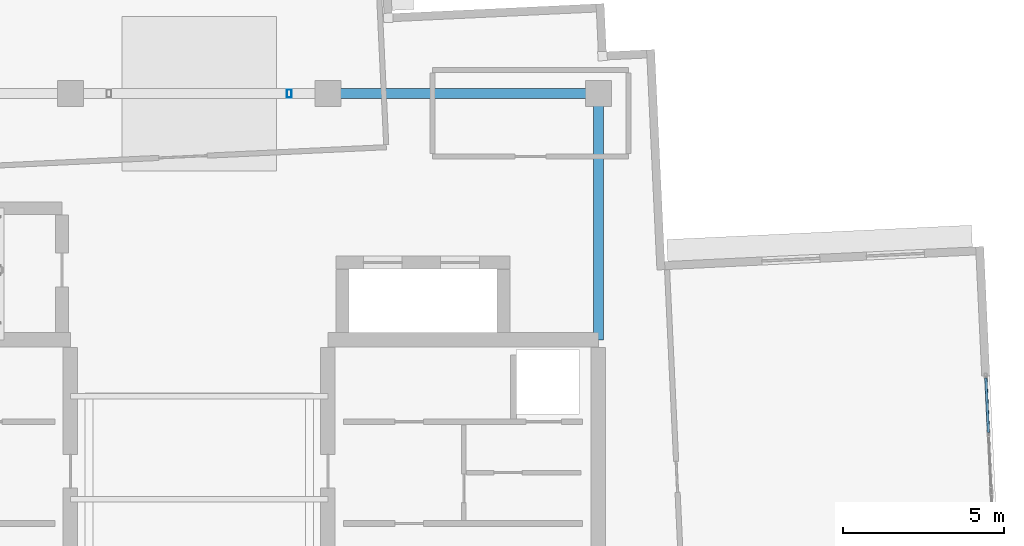
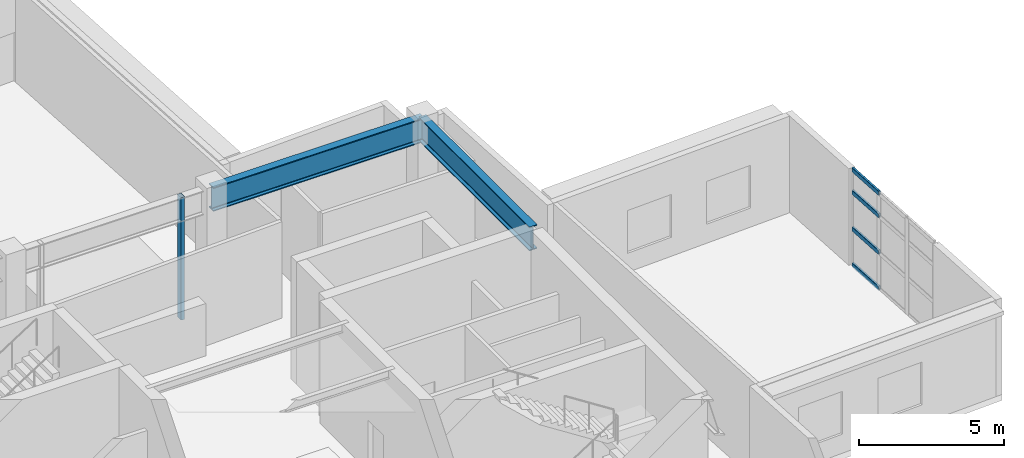
# One storey, part 10 of 22: 5 members, 2 beams, 1 element without a shape of its own.
"""IFC4 building model written with IfcOpenShell, lengths in metres."""

from ifc_helpers import new_model, si_unit, direction, frame, origin, origin_2d, place, context, subcontext, project, spatial, hollow_rectangle, i_section, extrude, material, layer, layer_set, material_profile, profile_set, type_object, element, aggregate, save


model = new_model("IFC4")

# Units and contexts
model_context = context("Model", 3, precision=1e-05, world=origin(), true_north=direction((0.0, 1.0)))
body_context = subcontext(model_context, "Body", "Model", "MODEL_VIEW")
ifc_project = project(units=[si_unit("LENGTHUNIT", "METRE"), si_unit("AREAUNIT", "SQUARE_METRE"), si_unit("VOLUMEUNIT", "CUBIC_METRE"), si_unit("PLANEANGLEUNIT", "RADIAN"), si_unit("MASSUNIT", "GRAM", prefix="KILO")], contexts=[model_context])

# Site, building, storey
site_placement = place(None, origin())
site = spatial("IfcSite", under=ifc_project, at=site_placement, CompositionType="ELEMENT")
building_placement = place(site_placement, origin())
building = spatial("IfcBuilding", under=site, at=building_placement, Name="Qingluan Cross Belvedere", CompositionType="ELEMENT")
storey_placement = place(building_placement, frame((0.0, 0.0, 294.0)))
storey = spatial("IfcBuildingStorey", under=building, at=storey_placement, Name="L73", CompositionType="ELEMENT", Elevation=294.0)

# Curtain wall, members
ifc_material_1 = material(Name="Thermally broken aluminium and Low-E glass", Category="aluminium")
ifc_layer = layer(ifc_material_1, 0.179931640625, Name="ObservationCW_DamperGallery")
ifc_layer_set = layer_set([ifc_layer], Name="Thermally broken aluminium and Low-E glass")
curtain_wall_type = type_object("IfcCurtainWallType", Name="ObservationCW_DamperGallery", PredefinedType="USERDEFINED", material=ifc_layer_set)
curtain_wall_placement = place(storey_placement, origin())
curtain_wall = element("IfcCurtainWall", 1, at=curtain_wall_placement, inside=storey, type_object=curtain_wall_type, Name="ObservationCW_DamperGallery run env:cw:L73:E", ObjectType="OBSERVATION GLAZING WALL", PredefinedType="USERDEFINED")
ifc_material_2 = material(Name="Aluminium alloy 6063-T6", Category="aluminium")
ifc_material_profile_1 = material_profile(ifc_material_2, hollow_rectangle(XDim=0.0849609375, YDim=0.179931640625, WallThickness=0.00390625, InnerFilletRadius=0.00390625, OuterFilletRadius=0.008056640625, at=origin_2d()), Name="CWT180x85x4")
ifc_profile_set_1 = profile_set([ifc_material_profile_1], Name="Aluminium alloy 6063-T6")
member_type_1 = type_object("IfcMemberType", Name="CWTransom_180", PredefinedType="USERDEFINED", material=ifc_profile_set_1)
member_1_placement = place(storey_placement, frame((24.50927734375, 2.07958984375, 0.030029296875), z_axis=(-0.047093021363, 0.998890508183, 0.0), x_axis=(-0.998890508183, -0.047093021363, 0.0)))
member_1 = element("IfcMember", 2, at=member_1_placement, type_object=member_type_1, Name="CW-C1 transom 3.1", ObjectType="TRANSOM", PredefinedType="USERDEFINED", context=body_context, shape_type="SweptSolid", body=[
    extrude(hollow_rectangle(XDim=0.0849609375, YDim=0.179931640625, WallThickness=0.00390625, InnerFilletRadius=0.00390625, OuterFilletRadius=0.008056640625, at=origin_2d()), origin(), (0.0, 0.0, 1.0), 1.6953125),
])
member_2_placement = place(storey_placement, frame((24.50927734375, 2.07958984375, 1.54296875), z_axis=(-0.047093021363, 0.998890508183, 0.0), x_axis=(-0.998890508183, -0.047093021363, 0.0)))
member_2 = element("IfcMember", 3, at=member_2_placement, type_object=member_type_1, Name="CW-C1 transom 3.2", ObjectType="TRANSOM", PredefinedType="USERDEFINED", context=body_context, shape_type="SweptSolid", body=[
    extrude(hollow_rectangle(XDim=0.0849609375, YDim=0.179931640625, WallThickness=0.00390625, InnerFilletRadius=0.00390625, OuterFilletRadius=0.008056640625, at=origin_2d()), origin(), (0.0, 0.0, 1.0), 1.6953125),
])
member_3_placement = place(storey_placement, frame((24.50927734375, 2.07958984375, 3.0859375), z_axis=(-0.047093021363, 0.998890508183, 0.0), x_axis=(-0.998890508183, -0.047093021363, 0.0)))
member_3 = element("IfcMember", 4, at=member_3_placement, type_object=member_type_1, Name="CW-C1 transom 3.3", ObjectType="TRANSOM", PredefinedType="USERDEFINED", context=body_context, shape_type="SweptSolid", body=[
    extrude(hollow_rectangle(XDim=0.0849609375, YDim=0.179931640625, WallThickness=0.00390625, InnerFilletRadius=0.00390625, OuterFilletRadius=0.008056640625, at=origin_2d()), origin(), (0.0, 0.0, 1.0), 1.6953125),
])
member_4_placement = place(storey_placement, frame((24.50927734375, 2.07958984375, 4.030029296875), z_axis=(-0.047093021363, 0.998890508183, 0.0), x_axis=(-0.998890508183, -0.047093021363, 0.0)))
member_4 = element("IfcMember", 5, at=member_4_placement, type_object=member_type_1, Name="CW-C1 transom 3.4", ObjectType="TRANSOM", PredefinedType="USERDEFINED", context=body_context, shape_type="SweptSolid", body=[
    extrude(hollow_rectangle(XDim=0.0849609375, YDim=0.179931640625, WallThickness=0.00390625, InnerFilletRadius=0.00390625, OuterFilletRadius=0.008056640625, at=origin_2d()), origin(), (0.0, 0.0, 1.0), 1.6953125),
])
aggregate(curtain_wall, [member_1, member_2, member_3, member_4])

# Member
ifc_material_3 = material(Name="Steel Q420GJB", Category="steel")
ifc_material_profile_2 = material_profile(ifc_material_3, hollow_rectangle(XDim=0.14990234375, YDim=0.25, WallThickness=0.010009765625, InnerFilletRadius=0.010009765625, OuterFilletRadius=0.02001953125, at=origin_2d()), Name="RHS250x150x10")
ifc_profile_set_2 = profile_set([ifc_material_profile_2], Name="Steel Q420GJB")
member_type_2 = type_object("IfcMemberType", Name="SteelMember_POST_RHS250x150x10", PredefinedType="POST", material=ifc_profile_set_2)
member_5_placement = place(storey_placement, frame((2.800048828125, 12.60009765625, 0.0), z_axis=(0.0, 0.0, 1.0), x_axis=(1.0, 0.0, 0.0)))
element("IfcMember", 6, at=member_5_placement, inside=storey, type_object=member_type_2, Name="Tuned mass damper portal frame post 2", PredefinedType="POST", context=body_context, shape_type="SweptSolid", body=[
    extrude(hollow_rectangle(XDim=0.14990234375, YDim=0.25, WallThickness=0.010009765625, InnerFilletRadius=0.010009765625, OuterFilletRadius=0.02001953125, at=origin_2d()), origin(), (0.0, 0.0, 1.0), 5.14990234375),
])

# Beams
ifc_material_4 = material(Name="Steel Q420GJB", Category="steel")
ifc_material_profile_3 = material_profile(ifc_material_4, i_section(OverallWidth=0.302001953125, OverallDepth=1.008056640625, WebThickness=0.02099609375, FlangeThickness=0.0400390625, FilletRadius=0.030029296875, at=origin_2d()), Name="HEM1000")
ifc_profile_set_3 = profile_set([ifc_material_profile_3], Name="Steel Q420GJB")
beam_type = type_object("IfcBeamType", Name="Steel_Girder_HEM1000", PredefinedType="USERDEFINED", material=ifc_profile_set_3)
beam_1_placement = place(storey_placement, frame((4.0, 12.60009765625, 4.64599609375), z_axis=(1.0, 0.0, 0.0), x_axis=(0.0, 1.0, 0.0)))
element("IfcBeam", 7, at=beam_1_placement, inside=storey, type_object=beam_type, Name="Hub girder L73-HG-N3", ObjectType="GIRDER", PredefinedType="USERDEFINED", context=body_context, shape_type="SweptSolid", body=[
    extrude(i_section(OverallWidth=0.302001953125, OverallDepth=1.008056640625, WebThickness=0.02099609375, FlangeThickness=0.0400390625, FilletRadius=0.030029296875, at=origin_2d()), origin(), (0.0, 0.0, 1.0), 8.39990234375),
])
beam_2_placement = place(storey_placement, frame((12.39990234375, 4.949951171875, 4.64599609375), z_axis=(0.0, 1.0, 0.0), x_axis=(-1.0, 0.0, 0.0)))
element("IfcBeam", 8, at=beam_2_placement, inside=storey, type_object=beam_type, Name="Hub girder L73-HG-E2", ObjectType="GIRDER", PredefinedType="USERDEFINED", context=body_context, shape_type="SweptSolid", body=[
    extrude(i_section(OverallWidth=0.302001953125, OverallDepth=1.008056640625, WebThickness=0.02099609375, FlangeThickness=0.0400390625, FilletRadius=0.030029296875, at=origin_2d()), origin(), (0.0, 0.0, 1.0), 7.650146484375),
])

save(model, "model.ifc")
